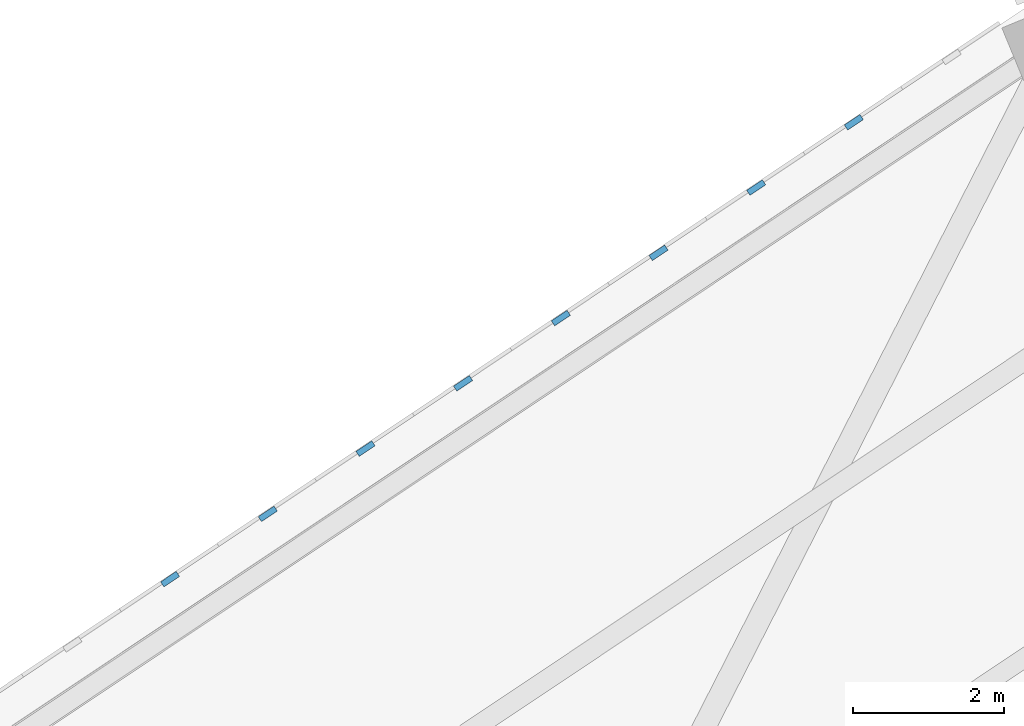
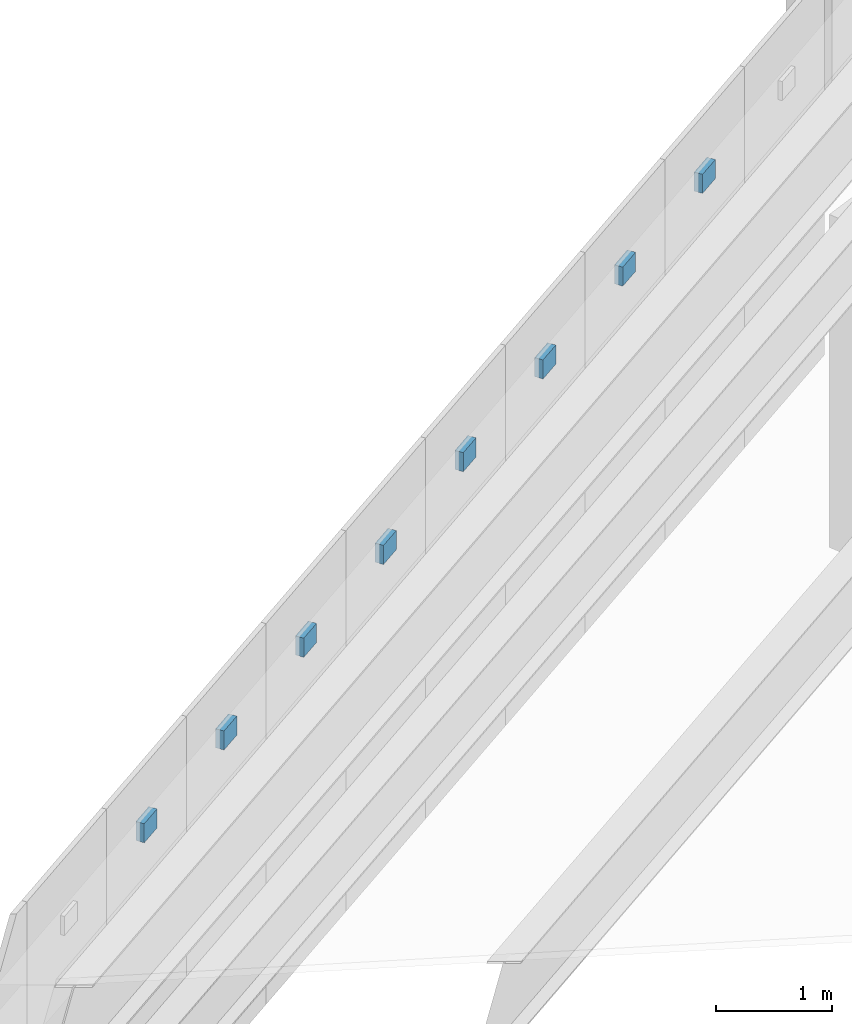
# One storey, part 225 of 278: 8 discrete accessories.
"""IFC4 building model written with IfcOpenShell, lengths in metres."""

from ifc_helpers import new_model, si_unit, direction, frame, origin, origin_2d, place, context, subcontext, project, spatial, rectangle, extrude, material, layer, layer_set, type_object, element, save


model = new_model("IFC4")

# Units and contexts
model_context = context("Model", 3, precision=1e-05, world=origin(), true_north=direction((0.0, 1.0)))
body_context = subcontext(model_context, "Body", "Model", "MODEL_VIEW")
ifc_project = project(units=[si_unit("LENGTHUNIT", "METRE"), si_unit("AREAUNIT", "SQUARE_METRE"), si_unit("VOLUMEUNIT", "CUBIC_METRE"), si_unit("PLANEANGLEUNIT", "RADIAN"), si_unit("MASSUNIT", "GRAM", prefix="KILO")], contexts=[model_context])

# Site, building, storey
site_placement = place(None, origin())
site = spatial("IfcSite", under=ifc_project, at=site_placement, CompositionType="ELEMENT")
building_placement = place(site_placement, origin())
building = spatial("IfcBuilding", under=site, at=building_placement, Name="Ogive Plaza Stadium", CompositionType="ELEMENT")
storey_placement = place(building_placement, frame((0.0, 0.0, 29.0)))
storey = spatial("IfcBuildingStorey", under=building, at=storey_placement, Name="Roof", CompositionType="ELEMENT", Elevation=29.0)

# Discrete accessories
ifc_material = material(Name="Steel ASTM A572 Grade 50", Category="steel")
ifc_layer = layer(ifc_material, 0.080078125)
ifc_layer_set = layer_set([ifc_layer], Name="Steel ASTM A572 Grade 50")
discrete_accessory_type = type_object("IfcDiscreteAccessoryType", Name="Tracery screen bracket 250x200", PredefinedType="BRACKET", material=ifc_layer_set)
for number, where, z_axis, x_axis, name in (
    (1, (-64.80419921875, 91.6171875, 5.25), (0.0, 0.0, 1.0), (0.831469612303, 0.55557023302, 0.0), "TRACERY SCREEN BRACKET B30 4"),
    (2, (-63.513671875, 92.4794921875, 5.25), (0.0, 0.0, 1.0), (0.831469612303, 0.55557023302, 0.0), "TRACERY SCREEN BRACKET B30 5"),
    (3, (-62.22314453125, 93.341796875, 5.25), (0.0, 0.0, 1.0), (0.831469612303, 0.55557023302, 0.0), "TRACERY SCREEN BRACKET B30 6"),
    (4, (-60.9326171875, 94.204345703125, 5.25), (0.0, 0.0, 1.0), (0.831469612303, 0.55557023302, 0.0), "TRACERY SCREEN BRACKET B30 7"),
    (5, (-59.641845703125, 95.066650390625, 5.25), (0.0, 0.0, 1.0), (0.831469612303, 0.55557023302, 0.0), "TRACERY SCREEN BRACKET B30 8"),
    (6, (-58.351318359375, 95.928955078125, 5.25), (0.0, 0.0, 1.0), (0.831469612303, 0.55557023302, 0.0), "TRACERY SCREEN BRACKET B30 9"),
    (7, (-57.060791015625, 96.791259765625, 5.25), (0.0, 0.0, 1.0), (0.831469612303, 0.55557023302, 0.0), "TRACERY SCREEN BRACKET B30 10"),
    (8, (-55.770263671875, 97.653564453125, 5.25), (0.0, 0.0, 1.0), (0.831469612303, 0.55557023302, 0.0), "TRACERY SCREEN BRACKET B30 11"),
):
    element("IfcDiscreteAccessory", number, at=place(storey_placement, frame(where, z_axis=z_axis, x_axis=x_axis)), inside=storey, type_object=discrete_accessory_type, Name=name, PredefinedType="BRACKET", context=body_context, shape_type="SweptSolid", body=[
        extrude(rectangle(XDim=0.25, YDim=0.080078125, at=origin_2d()), origin(), (0.0, 0.0, 1.0), 0.199951171875),
    ])

save(model, "model.ifc")
